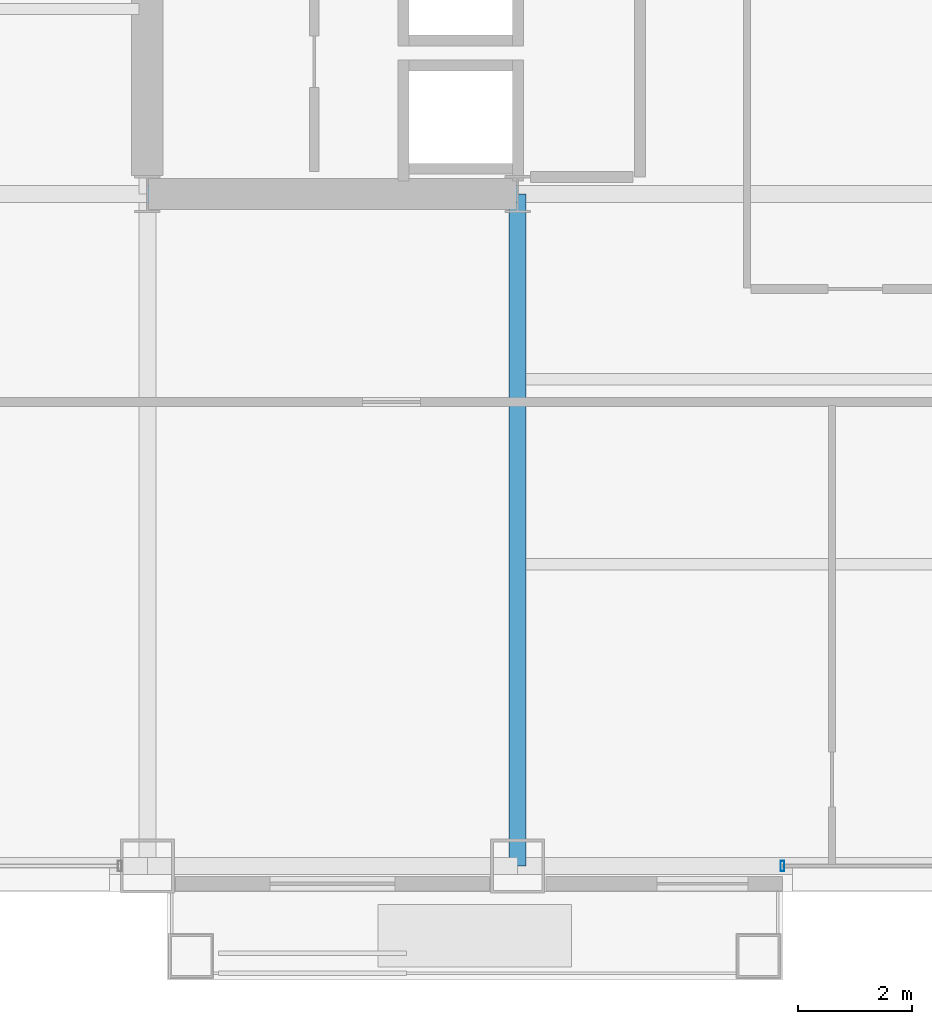
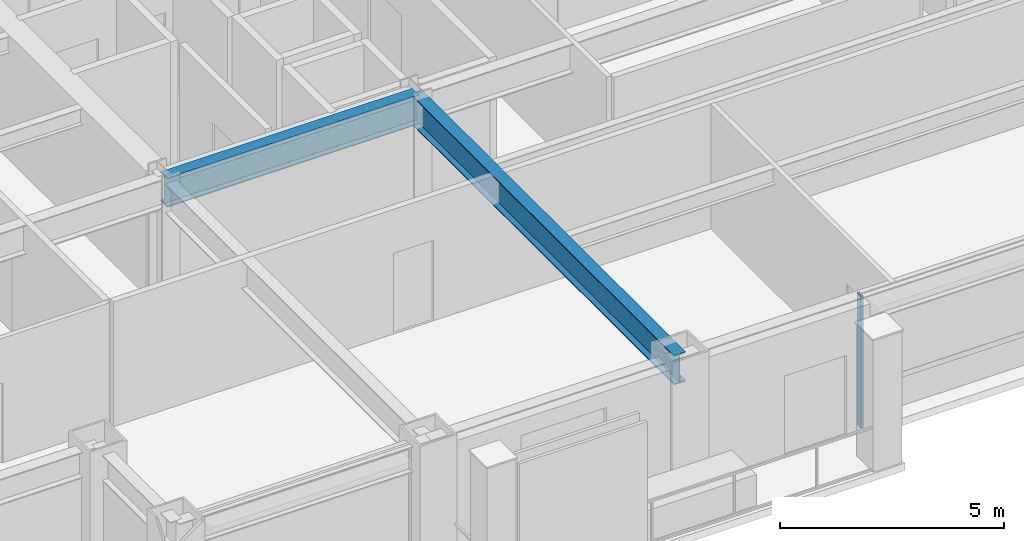
# One storey, part 5 of 31: 2 beams, 1 member, 1 element without a shape of its own.
"""IFC4 building model written with IfcOpenShell, lengths in metres."""

from ifc_helpers import new_model, si_unit, direction, frame, origin, origin_2d, place, context, subcontext, project, spatial, hollow_rectangle, i_section, extrude, material, layer, layer_set, material_profile, profile_set, type_object, element, aggregate, save


model = new_model("IFC4")

# Units and contexts
model_context = context("Model", 3, precision=1e-05, world=origin(), true_north=direction((0.0, 1.0)))
body_context = subcontext(model_context, "Body", "Model", "MODEL_VIEW")
ifc_project = project(units=[si_unit("LENGTHUNIT", "METRE"), si_unit("AREAUNIT", "SQUARE_METRE"), si_unit("VOLUMEUNIT", "CUBIC_METRE"), si_unit("PLANEANGLEUNIT", "RADIAN"), si_unit("MASSUNIT", "GRAM", prefix="KILO")], contexts=[model_context])

# Site, building, storey
site_placement = place(None, origin())
site = spatial("IfcSite", under=ifc_project, at=site_placement, CompositionType="ELEMENT")
building_placement = place(site_placement, origin())
building = spatial("IfcBuilding", under=site, at=building_placement, Name="Brelmoor Portico Tower", CompositionType="ELEMENT")
storey_placement = place(building_placement, frame((0.0, 0.0, 38.39990234375)))
storey = spatial("IfcBuildingStorey", under=building, at=storey_placement, Name="L09", CompositionType="ELEMENT", Elevation=38.39990234375)

# Beams
ifc_material_1 = material(Name="Steel Q355B", Category="steel")
ifc_material_profile_1 = material_profile(ifc_material_1, i_section(OverallWidth=0.300048828125, OverallDepth=0.800048828125, WebThickness=0.013916015625, FlangeThickness=0.02587890625, at=origin_2d()), Name="HN 800x300x14x26")
ifc_profile_set_1 = profile_set([ifc_material_profile_1], Name="Steel Q355B")
beam_type = type_object("IfcBeamType", Name="BM-PG-800", PredefinedType="BEAM", material=ifc_profile_set_1)
beam_1_placement = place(storey_placement, frame((-8.050048828125, -21.550048828125, 3.0), z_axis=(0.0, 1.0, 0.0), x_axis=(-1.0, 0.0, 0.0)))
element("IfcBeam", 1, at=beam_1_placement, inside=storey, type_object=beam_type, Name="L09 Primary Floor Girder PG-07", PredefinedType="BEAM", context=body_context, shape_type="SweptSolid", body=[
    extrude(i_section(OverallWidth=0.300048828125, OverallDepth=0.800048828125, WebThickness=0.013916015625, FlangeThickness=0.02587890625, at=origin_2d()), origin(), (0.0, 0.0, 1.0), 11.800048828125),
])
beam_2_placement = place(storey_placement, frame((-14.550048828125, -9.75, 3.0), z_axis=(1.0, 0.0, 0.0), x_axis=(0.0, 1.0, 0.0)))
element("IfcBeam", 2, at=beam_2_placement, inside=storey, type_object=beam_type, Name="L09 Primary Floor Girder PG-20", PredefinedType="BEAM", context=body_context, shape_type="SweptSolid", body=[
    extrude(i_section(OverallWidth=0.300048828125, OverallDepth=0.800048828125, WebThickness=0.013916015625, FlangeThickness=0.02587890625, at=origin_2d()), origin(), (0.0, 0.0, 1.0), 6.5),
])

# Curtain wall, member
ifc_material_2 = material(Name="Anodised Aluminium Alloy 6063-T6", Category="aluminium")
ifc_layer = layer(ifc_material_2, 0.179931640625)
ifc_layer_set = layer_set([ifc_layer], Name="Anodised Aluminium Alloy 6063-T6")
curtain_wall_type = type_object("IfcCurtainWallType", Name="CW-TOWER-Z1", PredefinedType="NOTDEFINED", material=ifc_layer_set)
curtain_wall_placement = place(storey_placement, origin())
curtain_wall = element("IfcCurtainWall", 3, at=curtain_wall_placement, inside=storey, type_object=curtain_wall_type, Name="L09 Curtain Wall CW-L09-1R-1", PredefinedType="NOTDEFINED")
ifc_material_profile_2 = material_profile(ifc_material_2, hollow_rectangle(XDim=0.06494140625, YDim=0.179931640625, WallThickness=0.00390625, at=origin_2d()), Name="ALU MULLION 65x180")
ifc_profile_set_2 = profile_set([ifc_material_profile_2], Name="Anodised Aluminium Alloy 6063-T6")
member_type = type_object("IfcMemberType", Name="MB-CW-MULL-180", PredefinedType="MULLION", material=ifc_profile_set_2)
member_placement = place(storey_placement, frame((-3.39990234375, -21.550048828125, -0.199951171875), z_axis=(0.0, 0.0, 1.0), x_axis=(1.0, 0.0, 0.0)))
member = element("IfcMember", 4, at=member_placement, type_object=member_type, Name="CW-L09-1R-1 Mullion 00", PredefinedType="MULLION", context=body_context, shape_type="SweptSolid", body=[
    extrude(hollow_rectangle(XDim=0.06494140625, YDim=0.179931640625, WallThickness=0.00390625, at=origin_2d()), origin(), (0.0, 0.0, 1.0), 3.60009765625),
])
aggregate(curtain_wall, [member])

save(model, "model.ifc")
